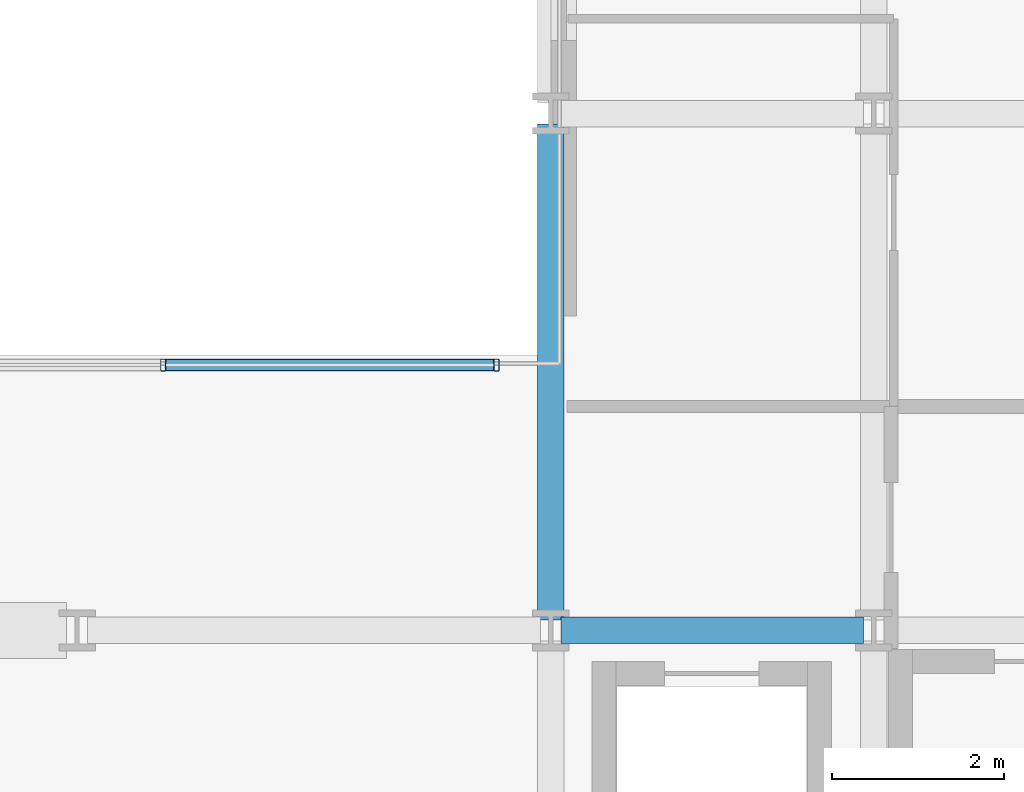
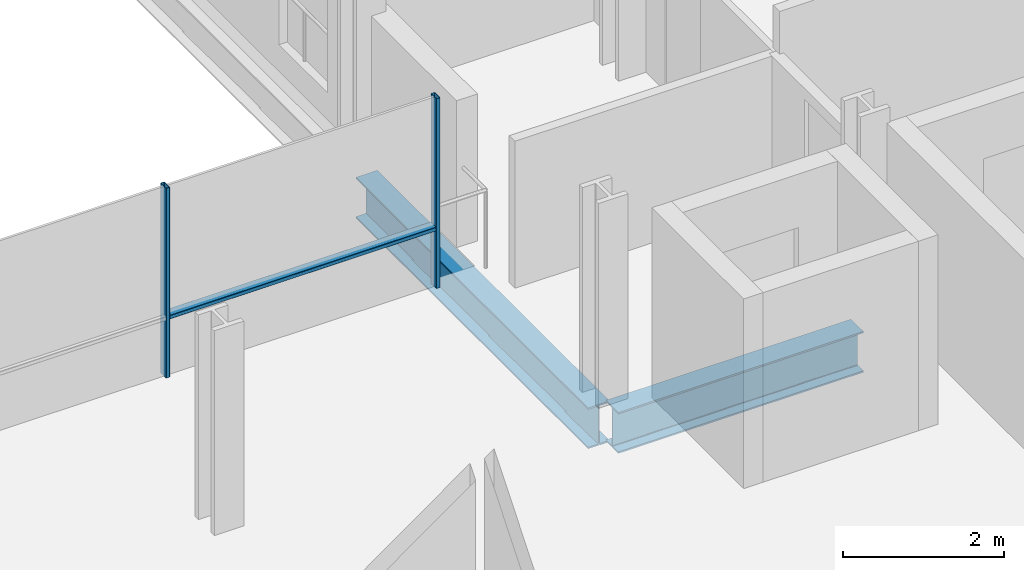
# One storey, part 13 of 41: 3 members, 2 beams, 1 element without a shape of its own.
"""IFC4 building model written with IfcOpenShell, lengths in metres."""

import ifcopenshell
import ifcopenshell.guid

model = None  # the IFC model being written
_history = None  # IfcOwnerHistory: only IFC2X3 demands one
_inside = {}  # id of a spatial element -> (the spatial element, [elements in it])
_under = {}  # id of a project, library or spatial element -> (it, [spatial elements below it])
_declared = {}  # id of a project -> (the project, [libraries it declares])
_typed = {}  # id of a type object -> (the type object, [elements of that type])
_made_of = {}  # id of a material, layer set ... -> (it, [elements and type objects made of it])


def new_model(schema):
    """Start an empty IFC model of exactly this schema.

    Asked for "IFC4X3", IfcOpenShell would pick the latest addendum, in which some entities
    have other attributes; the version numbers below select the first issue.
    IFC2X3 requires an IfcOwnerHistory on every rooted entity: one is made here for all.
    """
    global model, _history
    if schema == "IFC4X3":
        model = ifcopenshell.file(schema_version=(4, 3, 0, 0))
    else:
        model = ifcopenshell.file(schema=schema)
    _inside.clear()
    _under.clear()
    _declared.clear()
    _typed.clear()
    _made_of.clear()
    _history = None
    if model.schema == "IFC2X3":
        org = make("IfcOrganization", Name="unknown")
        user = make(
            "IfcPersonAndOrganization",
            ThePerson=make("IfcPerson", FamilyName="unknown"),
            TheOrganization=org,
        )
        app = make(
            "IfcApplication",
            ApplicationDeveloper=org,
            Version="unknown",
            ApplicationFullName="unknown",
            ApplicationIdentifier="unknown",
        )
        _history = make(
            "IfcOwnerHistory",
            OwningUser=user,
            OwningApplication=app,
            ChangeAction="ADDED",
            CreationDate=0,
        )
    return model


def make(cls, **values):
    """One entity of the class cls with the attributes given. An attribute that is None is left unset."""
    return model.create_entity(
        cls, **{name: value for name, value in values.items() if value is not None}
    )


def rooted(cls, **values):
    """An entity with a GlobalId (a new one), such as an element, a storey or a relation."""
    return make(cls, GlobalId=ifcopenshell.guid.new(), OwnerHistory=_history, **values)


def si_unit(unit_type, name, prefix=None):
    """IfcSIUnit, for example si_unit("LENGTHUNIT", "METRE", prefix="MILLI")."""
    return make("IfcSIUnit", UnitType=unit_type, Prefix=prefix, Name=name)


def assignment(units):
    """IfcUnitAssignment: the units of a project."""
    return None if units is None else make("IfcUnitAssignment", Units=units)


def point(xyz):
    """IfcCartesianPoint."""
    return None if xyz is None else make("IfcCartesianPoint", Coordinates=xyz)


def direction(xyz):
    """IfcDirection."""
    return None if xyz is None else make("IfcDirection", DirectionRatios=xyz)


def frame(location, z_axis=None, x_axis=None):
    """IfcAxis2Placement3D, a coordinate frame: its origin and axes. An axis left out is left unset."""
    return make(
        "IfcAxis2Placement3D",
        Location=point(location),
        Axis=direction(z_axis),
        RefDirection=direction(x_axis),
    )


def frame_2d(location, x_axis=None):
    """IfcAxis2Placement2D, a coordinate frame in the plane: its origin and x axis."""
    return make(
        "IfcAxis2Placement2D", Location=point(location), RefDirection=direction(x_axis)
    )


def origin():
    """The frame at (0, 0, 0) with its axes left unset."""
    return frame((0.0, 0.0, 0.0))


def origin_2d():
    """The frame at (0, 0) in the plane with its x axis left unset."""
    return frame_2d((0.0, 0.0))


def place(relative_to, where):
    """IfcLocalPlacement: puts the frame where relative to a parent placement (None: the world)."""
    return make(
        "IfcLocalPlacement", PlacementRelTo=relative_to, RelativePlacement=where
    )


def context(
    kind, dimensions, precision=None, world=None, true_north=None, identifier=None
):
    """IfcGeometricRepresentationContext, for example the 3D "Model" context."""
    return make(
        "IfcGeometricRepresentationContext",
        ContextIdentifier=identifier,
        ContextType=kind,
        CoordinateSpaceDimension=dimensions,
        Precision=precision,
        WorldCoordinateSystem=world,
        TrueNorth=true_north,
    )


def subcontext(parent, identifier, kind, view, scale=None):
    """IfcGeometricRepresentationSubContext, for example "Body" below "Model"."""
    return make(
        "IfcGeometricRepresentationSubContext",
        ContextIdentifier=identifier,
        ContextType=kind,
        ParentContext=parent,
        TargetScale=scale,
        TargetView=view,
    )


def project(units=None, contexts=None):
    """IfcProject with its units and contexts."""
    return rooted(
        "IfcProject",
        Name="project",
        RepresentationContexts=contexts,
        UnitsInContext=assignment(units),
    )


def spatial(cls, under=None, at=None, **own):
    """A site, building, storey or space (cls), placed at a placement, below another one or the project."""
    s = rooted(cls, ObjectPlacement=at, **own)
    if under is not None:
        _under.setdefault(under.id(), (under, []))[1].append(s)
    return s


def profile(cls, at=None, kind="AREA", **sizes):
    """A parametric profile (cls). Its sizes go by their IFC names, for example OverallWidth=200.0."""
    return make(cls, ProfileType=kind, Position=at, **sizes)


def hollow_rectangle(**sizes):
    """IfcRectangleHollowProfileDef."""
    return profile("IfcRectangleHollowProfileDef", **sizes)


def i_section(**sizes):
    """IfcIShapeProfileDef."""
    return profile("IfcIShapeProfileDef", **sizes)


def extrude(swept, where, along, depth):
    """IfcExtrudedAreaSolid: the profile swept, set in the frame where, extruded along a direction by depth."""
    return make(
        "IfcExtrudedAreaSolid",
        SweptArea=swept,
        Position=where,
        ExtrudedDirection=direction(along),
        Depth=depth,
    )


def shape(context_of_items, identifier, shape_type, items):
    """IfcShapeRepresentation: the items that make up one representation, for example the "Body"."""
    return make(
        "IfcShapeRepresentation",
        ContextOfItems=context_of_items,
        RepresentationIdentifier=identifier,
        RepresentationType=shape_type,
        Items=items,
    )


def material(Name=None, Category=None):
    """IfcMaterial."""
    return make("IfcMaterial", Name=Name, Category=Category)


def layer(
    of_material, thickness, ventilated=None, Name=None, Category=None, Priority=None
):
    """IfcMaterialLayer: one layer of a wall or slab, of a material (None: an air gap)."""
    return make(
        "IfcMaterialLayer",
        Material=of_material,
        LayerThickness=thickness,
        IsVentilated=ventilated,
        Name=Name,
        Category=Category,
        Priority=Priority,
    )


def layer_set(layers, Name=None):
    """IfcMaterialLayerSet."""
    return make("IfcMaterialLayerSet", MaterialLayers=layers, LayerSetName=Name)


def material_profile(
    of_material, cross_section, Name=None, Category=None, Priority=None
):
    """IfcMaterialProfile: a cross section and its material."""
    return make(
        "IfcMaterialProfile",
        Name=Name,
        Material=of_material,
        Profile=cross_section,
        Priority=Priority,
        Category=Category,
    )


def profile_set(profiles, Name=None, composite=None):
    """IfcMaterialProfileSet."""
    return make(
        "IfcMaterialProfileSet",
        Name=Name,
        MaterialProfiles=profiles,
        CompositeProfile=composite,
    )


def made_of(thing, what):
    """Note that an element or type object is made of a material, layer set ...; save() writes the relation."""
    if what is not None:
        _made_of.setdefault(what.id(), (what, []))[1].append(thing)
    return thing


def type_object(cls, material=None, **own):
    """A type object (cls), such as IfcWallType, which elements share."""
    return made_of(rooted(cls, **own), material)


def element(
    cls,
    number,
    at=None,
    inside=None,
    cuts=None,
    type_object=None,
    material=None,
    context=None,
    identifier="Body",
    shape_type=None,
    held_by="IfcProductDefinitionShape",
    body=None,
    shapes=None,
    **own,
):
    """One element of the class cls, such as IfcWall. Its Tag is "e" and its number.

    at: its placement. inside: the storey or other place that contains it. cuts: it is an
    opening in that element (IfcRelVoidsElement). A single representation is given by context,
    identifier, shape_type and body (its items); several are given by shapes. held_by: the class
    of the entity that holds the representations. save() writes the other relations.
    """
    e = rooted(cls, Tag="e%d" % number, ObjectPlacement=at, **own)
    if body is not None:
        shapes = [shape(context, identifier, shape_type, body)]
    if shapes is not None:
        e.Representation = make(held_by, Representations=shapes)
    if inside is not None:
        _inside.setdefault(inside.id(), (inside, []))[1].append(e)
    if cuts is not None:
        rooted(
            "IfcRelVoidsElement", RelatingBuildingElement=cuts, RelatedOpeningElement=e
        )
    if type_object is not None:
        _typed.setdefault(type_object.id(), (type_object, []))[1].append(e)
    return made_of(e, material)


def aggregate(whole, parts):
    """IfcRelAggregates: a whole, such as a stair, and the parts it consists of."""
    return rooted("IfcRelAggregates", RelatingObject=whole, RelatedObjects=parts)


def save(model, path):
    """Write the relations noted so far, then the file.

    IfcRelAggregates (storeys below a building ...), IfcRelContainedInSpatialStructure (elements
    in a storey), IfcRelDefinesByType, IfcRelAssociatesMaterial and IfcRelDeclares: one each for
    every whole, place, type object, material and project.
    """
    for whole, parts in _under.values():
        aggregate(whole, parts)
    for where, things in _inside.values():
        rooted(
            "IfcRelContainedInSpatialStructure",
            RelatedElements=things,
            RelatingStructure=where,
        )
    for kind, things in _typed.values():
        rooted("IfcRelDefinesByType", RelatedObjects=things, RelatingType=kind)
    for what, things in _made_of.values():
        rooted("IfcRelAssociatesMaterial", RelatedObjects=things, RelatingMaterial=what)
    for by, libraries in _declared.values():
        rooted("IfcRelDeclares", RelatingContext=by, RelatedDefinitions=libraries)
    model.write(path)


model = new_model("IFC4")

# Units and contexts
model_context = context("Model", 3, precision=1e-05, world=origin(), true_north=direction((0.0, 1.0)))
body_context = subcontext(model_context, "Body", "Model", "MODEL_VIEW")
ifc_project = project(units=[si_unit("LENGTHUNIT", "METRE"), si_unit("AREAUNIT", "SQUARE_METRE"), si_unit("VOLUMEUNIT", "CUBIC_METRE"), si_unit("PLANEANGLEUNIT", "RADIAN"), si_unit("MASSUNIT", "GRAM", prefix="KILO")], contexts=[model_context])

# Site, building, storey
site_placement = place(None, origin())
site = spatial("IfcSite", under=ifc_project, at=site_placement, CompositionType="ELEMENT")
building_placement = place(site_placement, origin())
building = spatial("IfcBuilding", under=site, at=building_placement, Name="Brevholm Reach", CompositionType="ELEMENT")
storey_placement = place(building_placement, frame((0.0, 0.0, 55.89990234375)))
storey = spatial("IfcBuildingStorey", under=building, at=storey_placement, Name="L15", CompositionType="ELEMENT", Elevation=55.89990234375)

# Beams
ifc_material_1 = material(Name="Structural Steel S355J2", Category="steel")
ifc_material_profile_1 = material_profile(ifc_material_1, i_section(OverallWidth=0.30712890625, OverallDepth=0.6201171875, WebThickness=0.01416015625, FlangeThickness=0.023681640625, FilletRadius=0.0166015625, at=origin_2d()), Name="UKB 610x305x179")
ifc_profile_set_1 = profile_set([ifc_material_profile_1], Name="Structural Steel S355J2")
beam_type = type_object("IfcBeamType", Name="BM-UKB610H", PredefinedType="USERDEFINED", material=ifc_profile_set_1)
beam_1_placement = place(storey_placement, frame((38.3701171875, 10.0, -0.5400390625), z_axis=(1.0, 0.0, 0.0), x_axis=(0.0, 1.0, 0.0)))
element("IfcBeam", 1, at=beam_1_placement, inside=storey, type_object=beam_type, Name="L15 G-06 Framing Beam", ObjectType="GIRDER", PredefinedType="USERDEFINED", context=body_context, shape_type="SweptSolid", body=[
    extrude(i_section(OverallWidth=0.30712890625, OverallDepth=0.6201171875, WebThickness=0.01416015625, FlangeThickness=0.023681640625, FilletRadius=0.0166015625, at=origin_2d()), origin(), (0.0, 0.0, 1.0), 3.509765625),
])
beam_2_placement = place(storey_placement, frame((38.25, 10.1201171875, -0.5400390625), z_axis=(0.0, 1.0, 0.0), x_axis=(-1.0, 0.0, 0.0)))
element("IfcBeam", 2, at=beam_2_placement, inside=storey, type_object=beam_type, Name="L15 G-06 Framing Beam", ObjectType="GIRDER", PredefinedType="USERDEFINED", context=body_context, shape_type="SweptSolid", body=[
    extrude(i_section(OverallWidth=0.30712890625, OverallDepth=0.6201171875, WebThickness=0.01416015625, FlangeThickness=0.023681640625, FilletRadius=0.0166015625, at=origin_2d()), origin(), (0.0, 0.0, 1.0), 5.759765625),
])

# Curtain wall, members
ifc_material_2 = material(Name="Dark Anodised Aluminium 6063-T6 and Solar-Control Glass", Category="aluminium")
ifc_layer = layer(ifc_material_2, 0.139892578125)
ifc_layer_set = layer_set([ifc_layer], Name="Dark Anodised Aluminium 6063-T6 and Solar-Control Glass")
curtain_wall_type = type_object("IfcCurtainWallType", Name="CW-02", PredefinedType="NOTDEFINED", material=ifc_layer_set)
curtain_wall_placement = place(storey_placement, origin())
curtain_wall = element("IfcCurtainWall", 3, at=curtain_wall_placement, inside=storey, type_object=curtain_wall_type, Name="L15 Curtain Wall CW-02", PredefinedType="NOTDEFINED")
ifc_material_3 = material(Name="Dark Anodised Aluminium 6063-T6", Category="aluminium")
ifc_material_profile_2 = material_profile(ifc_material_3, hollow_rectangle(XDim=0.06005859375, YDim=0.139892578125, WallThickness=0.0048828125, InnerFilletRadius=0.0048828125, OuterFilletRadius=0.010009765625, at=origin_2d()), Name="RHS 140x60x5")
ifc_profile_set_2 = profile_set([ifc_material_profile_2], Name="Dark Anodised Aluminium 6063-T6")
member_type_1 = type_object("IfcMemberType", Name="CWM-140", PredefinedType="MULLION", material=ifc_profile_set_2)
member_1_placement = place(storey_placement, frame((33.75, 13.080078125, 0.0), z_axis=(0.0, 0.0, 1.0), x_axis=(1.0, 0.0, 0.0)))
member_1 = element("IfcMember", 4, at=member_1_placement, type_object=member_type_1, Name="CM-140 Mullion 4", PredefinedType="MULLION", context=body_context, shape_type="SweptSolid", body=[
    extrude(hollow_rectangle(XDim=0.06005859375, YDim=0.139892578125, WallThickness=0.0048828125, InnerFilletRadius=0.0048828125, OuterFilletRadius=0.010009765625, at=origin_2d()), origin(), (0.0, 0.0, 1.0), 2.8701171875),
])
member_2_placement = place(storey_placement, frame((37.6201171875, 13.080078125, 0.0), z_axis=(0.0, 0.0, 1.0), x_axis=(1.0, 0.0, 0.0)))
member_2 = element("IfcMember", 5, at=member_2_placement, type_object=member_type_1, Name="CM-140 Mullion 5", PredefinedType="MULLION", context=body_context, shape_type="SweptSolid", body=[
    extrude(hollow_rectangle(XDim=0.06005859375, YDim=0.139892578125, WallThickness=0.0048828125, InnerFilletRadius=0.0048828125, OuterFilletRadius=0.010009765625, at=origin_2d()), origin(), (0.0, 0.0, 1.0), 2.8701171875),
])
ifc_material_4 = material(Name="Dark Anodised Aluminium 6063-T6", Category="aluminium")
ifc_material_profile_3 = material_profile(ifc_material_4, hollow_rectangle(XDim=0.06005859375, YDim=0.139892578125, WallThickness=0.0048828125, InnerFilletRadius=0.0048828125, OuterFilletRadius=0.010009765625, at=origin_2d()), Name="RHS 140x60x5")
ifc_profile_set_3 = profile_set([ifc_material_profile_3], Name="Dark Anodised Aluminium 6063-T6")
member_type_2 = type_object("IfcMemberType", Name="CWT-140", PredefinedType="NOTDEFINED", material=ifc_profile_set_3)
member_3_placement = place(storey_placement, frame((33.780029296875, 13.080078125, 0.900146484375), z_axis=(1.0, 0.0, 0.0), x_axis=(0.0, 0.0, 1.0)))
member_3 = element("IfcMember", 6, at=member_3_placement, type_object=member_type_2, Name="CT-140 Transom 4.1", ObjectType="TRANSOM", PredefinedType="USERDEFINED", context=body_context, shape_type="SweptSolid", body=[
    extrude(hollow_rectangle(XDim=0.06005859375, YDim=0.139892578125, WallThickness=0.0048828125, InnerFilletRadius=0.0048828125, OuterFilletRadius=0.010009765625, at=origin_2d()), origin(), (0.0, 0.0, 1.0), 3.81005859375),
])
aggregate(curtain_wall, [member_1, member_2, member_3])

save(model, "model.ifc")
